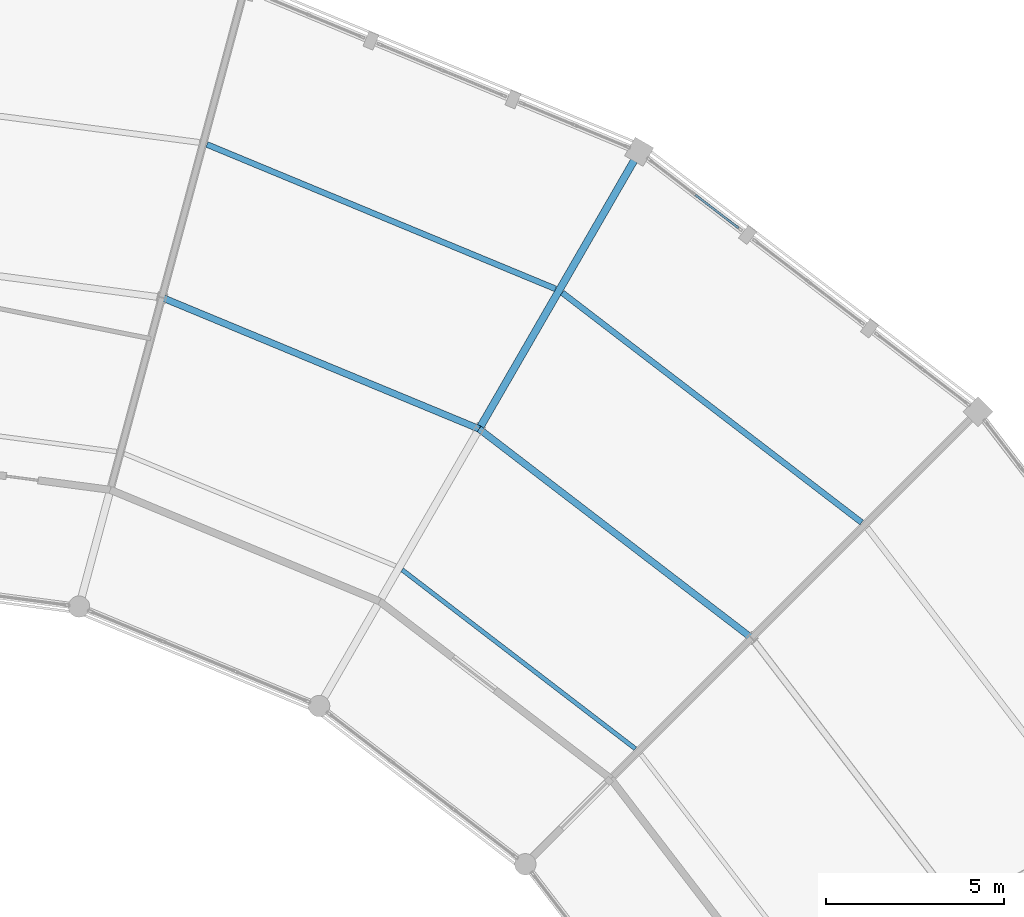
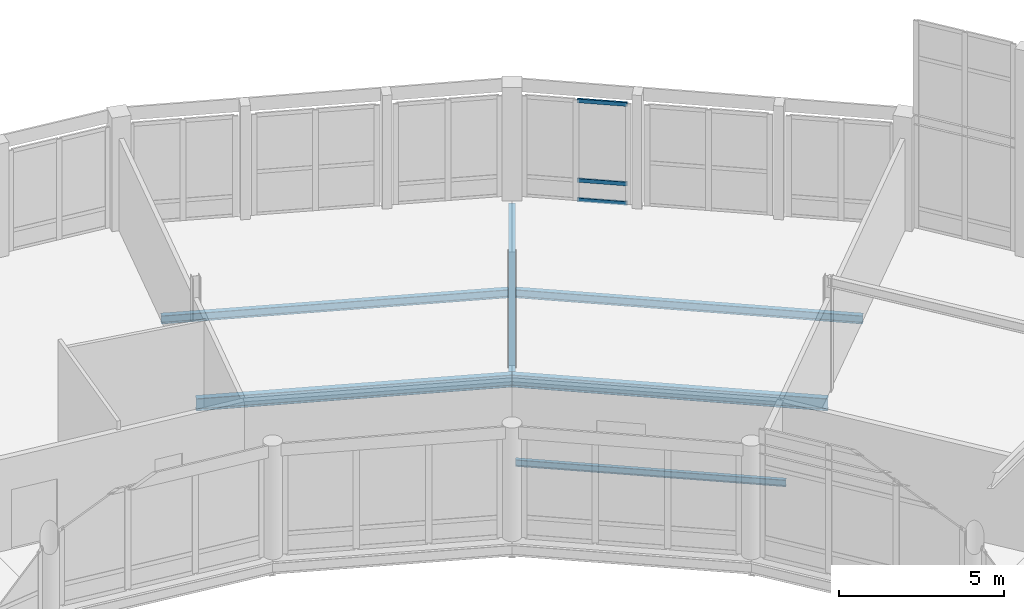
# One storey, part 92 of 185: 6 beams, 3 members, 1 element without a shape of its own.
"""IFC4 building model written with IfcOpenShell, lengths in metres."""

import ifcopenshell
import ifcopenshell.guid

model = None  # the IFC model being written
_history = None  # IfcOwnerHistory: only IFC2X3 demands one
_inside = {}  # id of a spatial element -> (the spatial element, [elements in it])
_under = {}  # id of a project, library or spatial element -> (it, [spatial elements below it])
_declared = {}  # id of a project -> (the project, [libraries it declares])
_typed = {}  # id of a type object -> (the type object, [elements of that type])
_made_of = {}  # id of a material, layer set ... -> (it, [elements and type objects made of it])


def new_model(schema):
    """Start an empty IFC model of exactly this schema.

    Asked for "IFC4X3", IfcOpenShell would pick the latest addendum, in which some entities
    have other attributes; the version numbers below select the first issue.
    IFC2X3 requires an IfcOwnerHistory on every rooted entity: one is made here for all.
    """
    global model, _history
    if schema == "IFC4X3":
        model = ifcopenshell.file(schema_version=(4, 3, 0, 0))
    else:
        model = ifcopenshell.file(schema=schema)
    _inside.clear()
    _under.clear()
    _declared.clear()
    _typed.clear()
    _made_of.clear()
    _history = None
    if model.schema == "IFC2X3":
        org = make("IfcOrganization", Name="unknown")
        user = make(
            "IfcPersonAndOrganization",
            ThePerson=make("IfcPerson", FamilyName="unknown"),
            TheOrganization=org,
        )
        app = make(
            "IfcApplication",
            ApplicationDeveloper=org,
            Version="unknown",
            ApplicationFullName="unknown",
            ApplicationIdentifier="unknown",
        )
        _history = make(
            "IfcOwnerHistory",
            OwningUser=user,
            OwningApplication=app,
            ChangeAction="ADDED",
            CreationDate=0,
        )
    return model


def make(cls, **values):
    """One entity of the class cls with the attributes given. An attribute that is None is left unset."""
    return model.create_entity(
        cls, **{name: value for name, value in values.items() if value is not None}
    )


def rooted(cls, **values):
    """An entity with a GlobalId (a new one), such as an element, a storey or a relation."""
    return make(cls, GlobalId=ifcopenshell.guid.new(), OwnerHistory=_history, **values)


def si_unit(unit_type, name, prefix=None):
    """IfcSIUnit, for example si_unit("LENGTHUNIT", "METRE", prefix="MILLI")."""
    return make("IfcSIUnit", UnitType=unit_type, Prefix=prefix, Name=name)


def assignment(units):
    """IfcUnitAssignment: the units of a project."""
    return None if units is None else make("IfcUnitAssignment", Units=units)


def point(xyz):
    """IfcCartesianPoint."""
    return None if xyz is None else make("IfcCartesianPoint", Coordinates=xyz)


def direction(xyz):
    """IfcDirection."""
    return None if xyz is None else make("IfcDirection", DirectionRatios=xyz)


def frame(location, z_axis=None, x_axis=None):
    """IfcAxis2Placement3D, a coordinate frame: its origin and axes. An axis left out is left unset."""
    return make(
        "IfcAxis2Placement3D",
        Location=point(location),
        Axis=direction(z_axis),
        RefDirection=direction(x_axis),
    )


def frame_2d(location, x_axis=None):
    """IfcAxis2Placement2D, a coordinate frame in the plane: its origin and x axis."""
    return make(
        "IfcAxis2Placement2D", Location=point(location), RefDirection=direction(x_axis)
    )


def origin():
    """The frame at (0, 0, 0) with its axes left unset."""
    return frame((0.0, 0.0, 0.0))


def origin_2d():
    """The frame at (0, 0) in the plane with its x axis left unset."""
    return frame_2d((0.0, 0.0))


def place(relative_to, where):
    """IfcLocalPlacement: puts the frame where relative to a parent placement (None: the world)."""
    return make(
        "IfcLocalPlacement", PlacementRelTo=relative_to, RelativePlacement=where
    )


def context(
    kind, dimensions, precision=None, world=None, true_north=None, identifier=None
):
    """IfcGeometricRepresentationContext, for example the 3D "Model" context."""
    return make(
        "IfcGeometricRepresentationContext",
        ContextIdentifier=identifier,
        ContextType=kind,
        CoordinateSpaceDimension=dimensions,
        Precision=precision,
        WorldCoordinateSystem=world,
        TrueNorth=true_north,
    )


def subcontext(parent, identifier, kind, view, scale=None):
    """IfcGeometricRepresentationSubContext, for example "Body" below "Model"."""
    return make(
        "IfcGeometricRepresentationSubContext",
        ContextIdentifier=identifier,
        ContextType=kind,
        ParentContext=parent,
        TargetScale=scale,
        TargetView=view,
    )


def project(units=None, contexts=None):
    """IfcProject with its units and contexts."""
    return rooted(
        "IfcProject",
        Name="project",
        RepresentationContexts=contexts,
        UnitsInContext=assignment(units),
    )


def spatial(cls, under=None, at=None, **own):
    """A site, building, storey or space (cls), placed at a placement, below another one or the project."""
    s = rooted(cls, ObjectPlacement=at, **own)
    if under is not None:
        _under.setdefault(under.id(), (under, []))[1].append(s)
    return s


def profile(cls, at=None, kind="AREA", **sizes):
    """A parametric profile (cls). Its sizes go by their IFC names, for example OverallWidth=200.0."""
    return make(cls, ProfileType=kind, Position=at, **sizes)


def hollow_rectangle(**sizes):
    """IfcRectangleHollowProfileDef."""
    return profile("IfcRectangleHollowProfileDef", **sizes)


def i_section(**sizes):
    """IfcIShapeProfileDef."""
    return profile("IfcIShapeProfileDef", **sizes)


def extrude(swept, where, along, depth):
    """IfcExtrudedAreaSolid: the profile swept, set in the frame where, extruded along a direction by depth."""
    return make(
        "IfcExtrudedAreaSolid",
        SweptArea=swept,
        Position=where,
        ExtrudedDirection=direction(along),
        Depth=depth,
    )


def shape(context_of_items, identifier, shape_type, items):
    """IfcShapeRepresentation: the items that make up one representation, for example the "Body"."""
    return make(
        "IfcShapeRepresentation",
        ContextOfItems=context_of_items,
        RepresentationIdentifier=identifier,
        RepresentationType=shape_type,
        Items=items,
    )


def material(Name=None, Category=None):
    """IfcMaterial."""
    return make("IfcMaterial", Name=Name, Category=Category)


def material_profile(
    of_material, cross_section, Name=None, Category=None, Priority=None
):
    """IfcMaterialProfile: a cross section and its material."""
    return make(
        "IfcMaterialProfile",
        Name=Name,
        Material=of_material,
        Profile=cross_section,
        Priority=Priority,
        Category=Category,
    )


def profile_set(profiles, Name=None, composite=None):
    """IfcMaterialProfileSet."""
    return make(
        "IfcMaterialProfileSet",
        Name=Name,
        MaterialProfiles=profiles,
        CompositeProfile=composite,
    )


def made_of(thing, what):
    """Note that an element or type object is made of a material, layer set ...; save() writes the relation."""
    if what is not None:
        _made_of.setdefault(what.id(), (what, []))[1].append(thing)
    return thing


def type_object(cls, material=None, **own):
    """A type object (cls), such as IfcWallType, which elements share."""
    return made_of(rooted(cls, **own), material)


def element(
    cls,
    number,
    at=None,
    inside=None,
    cuts=None,
    type_object=None,
    material=None,
    context=None,
    identifier="Body",
    shape_type=None,
    held_by="IfcProductDefinitionShape",
    body=None,
    shapes=None,
    **own,
):
    """One element of the class cls, such as IfcWall. Its Tag is "e" and its number.

    at: its placement. inside: the storey or other place that contains it. cuts: it is an
    opening in that element (IfcRelVoidsElement). A single representation is given by context,
    identifier, shape_type and body (its items); several are given by shapes. held_by: the class
    of the entity that holds the representations. save() writes the other relations.
    """
    e = rooted(cls, Tag="e%d" % number, ObjectPlacement=at, **own)
    if body is not None:
        shapes = [shape(context, identifier, shape_type, body)]
    if shapes is not None:
        e.Representation = make(held_by, Representations=shapes)
    if inside is not None:
        _inside.setdefault(inside.id(), (inside, []))[1].append(e)
    if cuts is not None:
        rooted(
            "IfcRelVoidsElement", RelatingBuildingElement=cuts, RelatedOpeningElement=e
        )
    if type_object is not None:
        _typed.setdefault(type_object.id(), (type_object, []))[1].append(e)
    return made_of(e, material)


def aggregate(whole, parts):
    """IfcRelAggregates: a whole, such as a stair, and the parts it consists of."""
    return rooted("IfcRelAggregates", RelatingObject=whole, RelatedObjects=parts)


def save(model, path):
    """Write the relations noted so far, then the file.

    IfcRelAggregates (storeys below a building ...), IfcRelContainedInSpatialStructure (elements
    in a storey), IfcRelDefinesByType, IfcRelAssociatesMaterial and IfcRelDeclares: one each for
    every whole, place, type object, material and project.
    """
    for whole, parts in _under.values():
        aggregate(whole, parts)
    for where, things in _inside.values():
        rooted(
            "IfcRelContainedInSpatialStructure",
            RelatedElements=things,
            RelatingStructure=where,
        )
    for kind, things in _typed.values():
        rooted("IfcRelDefinesByType", RelatedObjects=things, RelatingType=kind)
    for what, things in _made_of.values():
        rooted("IfcRelAssociatesMaterial", RelatedObjects=things, RelatingMaterial=what)
    for by, libraries in _declared.values():
        rooted("IfcRelDeclares", RelatingContext=by, RelatedDefinitions=libraries)
    model.write(path)


model = new_model("IFC4")

# Units and contexts
model_context = context("Model", 3, precision=1e-05, world=origin(), true_north=direction((0.0, 1.0)))
body_context = subcontext(model_context, "Body", "Model", "MODEL_VIEW")
ifc_project = project(units=[si_unit("LENGTHUNIT", "METRE"), si_unit("AREAUNIT", "SQUARE_METRE"), si_unit("VOLUMEUNIT", "CUBIC_METRE"), si_unit("PLANEANGLEUNIT", "RADIAN"), si_unit("MASSUNIT", "GRAM", prefix="KILO")], contexts=[model_context])

# Site, building, storey
site_placement = place(None, origin())
site = spatial("IfcSite", under=ifc_project, at=site_placement, CompositionType="ELEMENT")
building_placement = place(site_placement, origin())
building = spatial("IfcBuilding", under=site, at=building_placement, Name="Vondelvale Polytechnic", CompositionType="ELEMENT")
storey_placement = place(building_placement, frame((0.0, 0.0, 9.60009765625)))
storey = spatial("IfcBuildingStorey", under=building, at=storey_placement, Name="L02", CompositionType="ELEMENT", Elevation=9.60009765625)

# Beams
ifc_material_1 = material(Name="Steel 300PLUS (fy = 300 MPa)", Category="steel")
ifc_material_profile_1 = material_profile(ifc_material_1, i_section(OverallWidth=0.18994140625, OverallDepth=0.4541015625, WebThickness=0.008544921875, FlangeThickness=0.0126953125, FilletRadius=0.011474609375, at=origin_2d()), Name="460UB67.1")
ifc_profile_set_1 = profile_set([ifc_material_profile_1], Name="Steel 300PLUS (fy = 300 MPa)")
beam_type_1 = type_object("IfcBeamType", Name="BM-UB460L", PredefinedType="BEAM", material=ifc_profile_set_1)
for number, where, z_axis, x_axis, name in (
    (1, (128.1630859375, 98.1630859375, -0.507080078125), (-0.793363832402, 0.60874775518, 0.0), (-0.60874775518, -0.793363832402, 0.0), "L02 RB B-22"),
    (2, (120.5, 104.04296875, -0.507080078125), (-0.923878816854, 0.38268516011, 0.0), (-0.38268516011, -0.923878816854, 0.0), "L02 RB B-22"),
):
    element("IfcBeam", number, at=place(storey_placement, frame(where, z_axis=z_axis, x_axis=x_axis)), inside=storey, type_object=beam_type_1, Name=name, PredefinedType="BEAM", context=body_context, shape_type="SweptSolid", body=[
        extrude(i_section(OverallWidth=0.18994140625, OverallDepth=0.4541015625, WebThickness=0.008544921875, FlangeThickness=0.0126953125, FilletRadius=0.011474609375, at=origin_2d()), origin(), (0.0, 0.0, 1.0), 9.658935546875),
    ])
ifc_material_profile_2 = material_profile(ifc_material_1, i_section(OverallWidth=0.208984375, OverallDepth=0.532958984375, WebThickness=0.01025390625, FlangeThickness=0.015625, FilletRadius=0.013916015625, at=origin_2d()), Name="530UB92.4")
ifc_profile_set_2 = profile_set([ifc_material_profile_2], Name="Steel 300PLUS (fy = 300 MPa)")
beam_type_2 = type_object("IfcBeamType", Name="BM-UB530", PredefinedType="BEAM", material=ifc_profile_set_2)
beam_1_placement = place(storey_placement, frame((120.5, 104.04296875, -0.546630859375), z_axis=(0.5000018851, 0.866024315419, 0.0), x_axis=(-0.866024315419, 0.5000018851, 0.0)))
element("IfcBeam", 3, at=beam_1_placement, inside=storey, type_object=beam_type_2, Name="L02 RG B-11", PredefinedType="BEAM", context=body_context, shape_type="SweptSolid", body=[
    extrude(i_section(OverallWidth=0.208984375, OverallDepth=0.532958984375, WebThickness=0.01025390625, FlangeThickness=0.015625, FilletRadius=0.013916015625, at=origin_2d()), origin(), (0.0, 0.0, 1.0), 9.0),
])

# Curtain wall, members
ifc_material_2 = material(Name="Glulam GL18 structural Tasmanian oak (fb = 42 MPa)", Category="wood")
curtain_wall_type = type_object("IfcCurtainWallType", Name="CW-RING-OUTER", PredefinedType="NOTDEFINED", material=ifc_material_2)
curtain_wall_placement = place(storey_placement, origin())
curtain_wall = element("IfcCurtainWall", 4, at=curtain_wall_placement, inside=storey, type_object=curtain_wall_type, Name="L02 architectural curtain wall CW-04-107", PredefinedType="NOTDEFINED")
ifc_material_3 = material(Name="Anodised extruded aluminium 6063-T6", Category="aluminium")
ifc_material_profile_3 = material_profile(ifc_material_3, hollow_rectangle(XDim=0.06005859375, YDim=0.139892578125, WallThickness=0.00341796875, at=origin_2d()), Name="CW-TRN-140x60")
ifc_profile_set_3 = profile_set([ifc_material_profile_3], Name="Anodised extruded aluminium 6063-T6")
member_type = type_object("IfcMemberType", Name="CW-TRN-60x140", PredefinedType="USERDEFINED", material=ifc_profile_set_3)
member_1_placement = place(storey_placement, frame((127.794677734375, 109.692626953125, 0.02978515625), z_axis=(-0.793305741078, 0.60882345649, 0.0), x_axis=(-0.60882345649, -0.793305741078, 0.0)))
member_1 = element("IfcMember", 5, at=member_1_placement, type_object=member_type, Name="CW-04-107 transom 1.1", ObjectType="TRANSOM", PredefinedType="USERDEFINED", context=body_context, shape_type="SweptSolid", body=[
    extrude(hollow_rectangle(XDim=0.06005859375, YDim=0.139892578125, WallThickness=0.00341796875, at=origin_2d()), origin(), (0.0, 0.0, 1.0), 1.52978515625),
])
member_2_placement = place(storey_placement, frame((127.794677734375, 109.692626953125, 0.75), z_axis=(-0.793305741078, 0.60882345649, 0.0), x_axis=(-0.60882345649, -0.793305741078, 0.0)))
member_2 = element("IfcMember", 6, at=member_2_placement, type_object=member_type, Name="CW-04-107 transom 1.2", ObjectType="TRANSOM", PredefinedType="USERDEFINED", context=body_context, shape_type="SweptSolid", body=[
    extrude(hollow_rectangle(XDim=0.06005859375, YDim=0.139892578125, WallThickness=0.00341796875, at=origin_2d()), origin(), (0.0, 0.0, 1.0), 1.52978515625),
])
member_3_placement = place(storey_placement, frame((127.794677734375, 109.692626953125, 3.68994140625), z_axis=(-0.793305741078, 0.60882345649, 0.0), x_axis=(-0.60882345649, -0.793305741078, 0.0)))
member_3 = element("IfcMember", 7, at=member_3_placement, type_object=member_type, Name="CW-04-107 transom 1.3", ObjectType="TRANSOM", PredefinedType="USERDEFINED", context=body_context, shape_type="SweptSolid", body=[
    extrude(hollow_rectangle(XDim=0.06005859375, YDim=0.139892578125, WallThickness=0.00341796875, at=origin_2d()), origin(), (0.0, 0.0, 1.0), 1.52978515625),
])
aggregate(curtain_wall, [member_1, member_2, member_3])

# Beams
ifc_material_profile_4 = material_profile(ifc_material_1, i_section(OverallWidth=0.1240234375, OverallDepth=0.248046875, WebThickness=0.0048828125, FlangeThickness=0.008056640625, FilletRadius=0.0087890625, at=origin_2d()), Name="250UB25.7")
ifc_profile_set_4 = profile_set([ifc_material_profile_4], Name="Steel 300PLUS (fy = 300 MPa)")
beam_type_3 = type_object("IfcBeamType", Name="JST-UB250L", PredefinedType="JOIST", material=ifc_profile_set_4)
beam_2_placement = place(storey_placement, frame((124.893798828125, 95.048095703125, -0.404052734375), z_axis=(-0.793361419587, 0.608750899721, 0.0), x_axis=(-0.608750899721, -0.793361419587, 0.0)))
element("IfcBeam", 8, at=beam_2_placement, inside=storey, type_object=beam_type_3, Name="L02 RJ J-08", PredefinedType="JOIST", context=body_context, shape_type="SweptSolid", body=[
    extrude(i_section(OverallWidth=0.1240234375, OverallDepth=0.248046875, WebThickness=0.0048828125, FlangeThickness=0.008056640625, FilletRadius=0.0087890625, at=origin_2d()), origin(), (0.0, 0.0, 1.0), 8.26416015625),
])
ifc_material_profile_5 = material_profile(ifc_material_1, i_section(OverallWidth=0.1650390625, OverallDepth=0.303955078125, WebThickness=0.006103515625, FlangeThickness=0.01025390625, FilletRadius=0.011474609375, at=origin_2d()), Name="310UB40.4")
ifc_profile_set_5 = profile_set([ifc_material_profile_5], Name="Steel 300PLUS (fy = 300 MPa)")
beam_type_4 = type_object("IfcBeamType", Name="JST-UB310", PredefinedType="JOIST", material=ifc_profile_set_5)
beam_3_placement = place(storey_placement, frame((131.257568359375, 101.411865234375, -0.43212890625), z_axis=(-0.793346013368, 0.608770977523, 0.0), x_axis=(-0.608770977523, -0.793346013368, 0.0)))
element("IfcBeam", 9, at=beam_3_placement, inside=storey, type_object=beam_type_4, Name="L02 RJ J-05", PredefinedType="JOIST", context=body_context, shape_type="SweptSolid", body=[
    extrude(i_section(OverallWidth=0.1650390625, OverallDepth=0.303955078125, WebThickness=0.006103515625, FlangeThickness=0.01025390625, FilletRadius=0.011474609375, at=origin_2d()), origin(), (0.0, 0.0, 1.0), 10.613525390625),
])
beam_4_placement = place(storey_placement, frame((122.6484375, 107.982177734375, -0.43212890625), z_axis=(-0.923886751865, 0.382666002839, 0.0), x_axis=(-0.382666002839, -0.923886751865, 0.0)))
element("IfcBeam", 10, at=beam_4_placement, inside=storey, type_object=beam_type_4, Name="L02 RJ J-05", PredefinedType="JOIST", context=body_context, shape_type="SweptSolid", body=[
    extrude(i_section(OverallWidth=0.1650390625, OverallDepth=0.303955078125, WebThickness=0.006103515625, FlangeThickness=0.01025390625, FilletRadius=0.011474609375, at=origin_2d()), origin(), (0.0, 0.0, 1.0), 10.61376953125),
])

save(model, "model.ifc")
